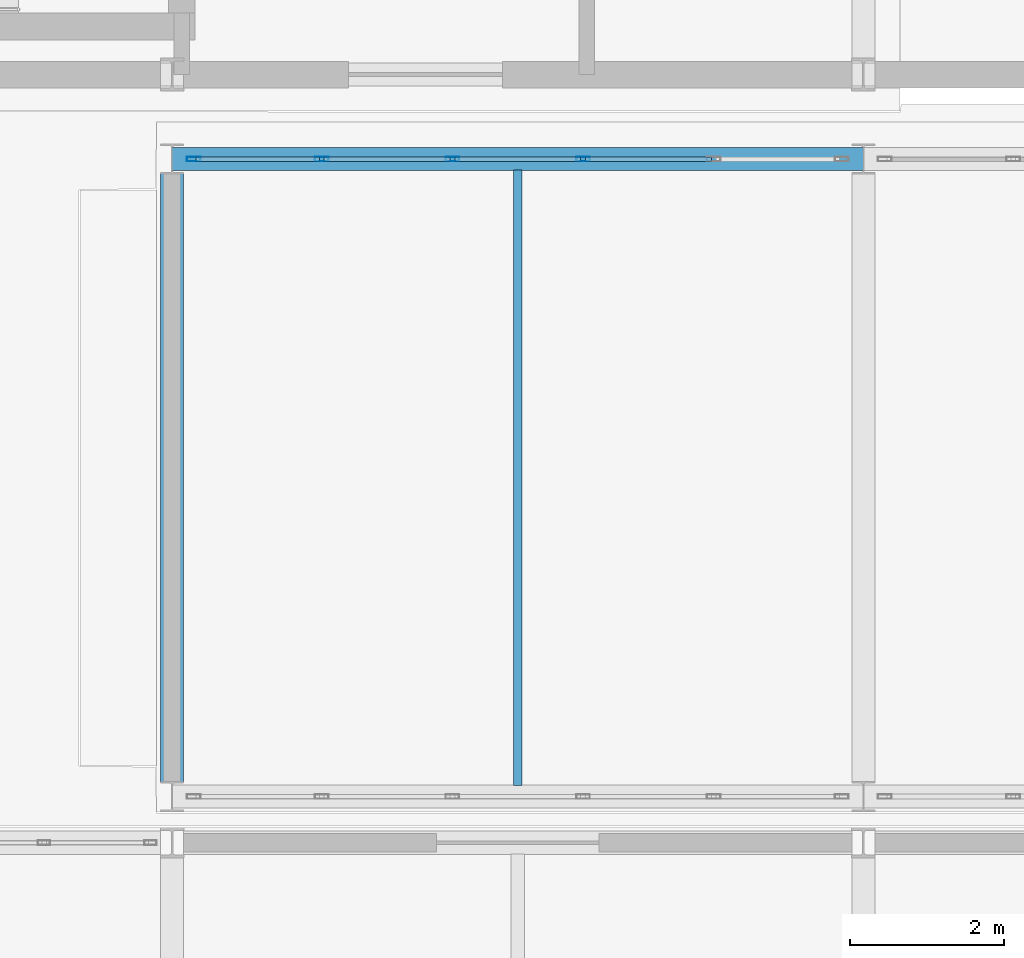
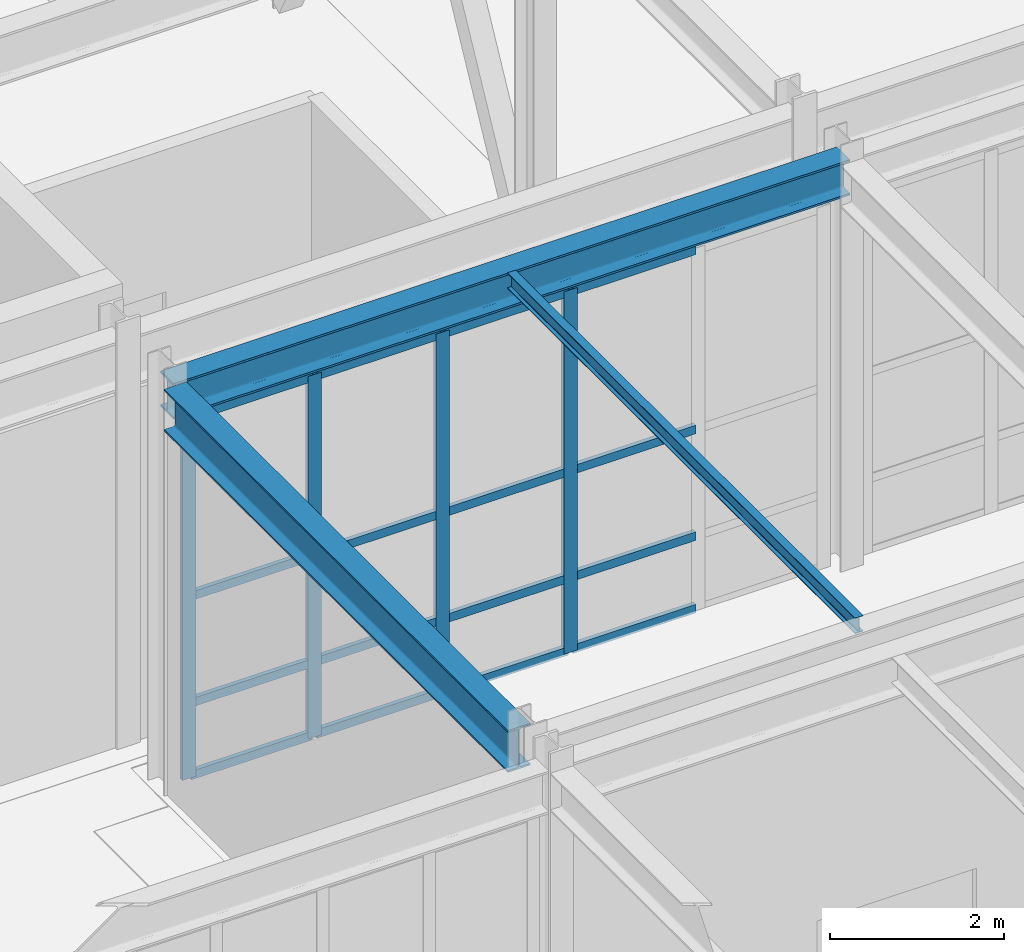
# One storey, part 47 of 146: 20 members, 3 beams, 1 element without a shape of its own.
"""IFC4 building model written with IfcOpenShell, lengths in metres."""

from ifc_helpers import new_model, si_unit, direction, frame, origin, origin_2d, place, context, subcontext, project, spatial, hollow_rectangle, i_section, extrude, material, material_profile, profile_set, type_object, element, aggregate, save


model = new_model("IFC4")

# Units and contexts
model_context = context("Model", 3, precision=1e-05, world=origin(), true_north=direction((0.0, 1.0)))
body_context = subcontext(model_context, "Body", "Model", "MODEL_VIEW")
ifc_project = project(units=[si_unit("LENGTHUNIT", "METRE"), si_unit("AREAUNIT", "SQUARE_METRE"), si_unit("VOLUMEUNIT", "CUBIC_METRE"), si_unit("PLANEANGLEUNIT", "RADIAN"), si_unit("MASSUNIT", "GRAM", prefix="KILO")], contexts=[model_context])

# Site, building, storey
site_placement = place(None, origin())
site = spatial("IfcSite", under=ifc_project, at=site_placement, CompositionType="ELEMENT")
building_placement = place(site_placement, origin())
building = spatial("IfcBuilding", under=site, at=building_placement, Name="Kaldris Quays Convention Centre", CompositionType="ELEMENT")
storey_placement = place(building_placement, origin())
storey = spatial("IfcBuildingStorey", under=building, at=storey_placement, Name="L00", CompositionType="ELEMENT", Elevation=0.0)

# Curtain wall, members
ifc_material_1 = material(Name="Anodized aluminium AW-6060 and triple glazing", Category="aluminium")
curtain_wall_type = type_object("IfcCurtainWallType", Name="UNITISED CURTAIN WALL CW02", PredefinedType="NOTDEFINED", material=ifc_material_1)
curtain_wall_placement = place(storey_placement, origin())
curtain_wall = element("IfcCurtainWall", 1, at=curtain_wall_placement, inside=storey, type_object=curtain_wall_type, Name="L00 Unitised Curtain Wall CW02 79", PredefinedType="NOTDEFINED")
ifc_material_2 = material(Name="Anodized aluminium AW-6060", Category="aluminium")
ifc_material_profile_1 = material_profile(ifc_material_2, hollow_rectangle(XDim=0.06005859375, YDim=0.179931640625, WallThickness=0.0048828125, at=origin_2d()), Name="RHS 180x60x5")
ifc_profile_set_1 = profile_set([ifc_material_profile_1], Name="Anodized aluminium AW-6060")
member_type_1 = type_object("IfcMemberType", Name="CURTAIN MULLION CWM2", PredefinedType="MULLION", material=ifc_profile_set_1)
member_1_placement = place(storey_placement, frame((29.280029296875, 54.89990234375, 0.0), z_axis=(0.0, 0.0, 1.0), x_axis=(0.0, 1.0, 0.0)))
member_1 = element("IfcMember", 2, at=member_1_placement, type_object=member_type_1, Name="CW02 mullion 1", PredefinedType="MULLION", context=body_context, shape_type="SweptSolid", body=[
    extrude(hollow_rectangle(XDim=0.06005859375, YDim=0.179931640625, WallThickness=0.0048828125, at=origin_2d()), origin(), (0.0, 0.0, 1.0), 5.10009765625),
])
member_2_placement = place(storey_placement, frame((30.949951171875, 54.89990234375, 0.0), z_axis=(0.0, 0.0, 1.0), x_axis=(0.0, 1.0, 0.0)))
member_2 = element("IfcMember", 3, at=member_2_placement, type_object=member_type_1, Name="CW02 mullion 2", PredefinedType="MULLION", context=body_context, shape_type="SweptSolid", body=[
    extrude(hollow_rectangle(XDim=0.06005859375, YDim=0.179931640625, WallThickness=0.0048828125, at=origin_2d()), origin(), (0.0, 0.0, 1.0), 5.10009765625),
])
member_3_placement = place(storey_placement, frame((32.64990234375, 54.89990234375, 0.0), z_axis=(0.0, 0.0, 1.0), x_axis=(0.0, 1.0, 0.0)))
member_3 = element("IfcMember", 4, at=member_3_placement, type_object=member_type_1, Name="CW02 mullion 3", PredefinedType="MULLION", context=body_context, shape_type="SweptSolid", body=[
    extrude(hollow_rectangle(XDim=0.06005859375, YDim=0.179931640625, WallThickness=0.0048828125, at=origin_2d()), origin(), (0.0, 0.0, 1.0), 5.10009765625),
])
member_4_placement = place(storey_placement, frame((34.35009765625, 54.89990234375, 0.0), z_axis=(0.0, 0.0, 1.0), x_axis=(0.0, 1.0, 0.0)))
member_4 = element("IfcMember", 5, at=member_4_placement, type_object=member_type_1, Name="CW02 mullion 4", PredefinedType="MULLION", context=body_context, shape_type="SweptSolid", body=[
    extrude(hollow_rectangle(XDim=0.06005859375, YDim=0.179931640625, WallThickness=0.0048828125, at=origin_2d()), origin(), (0.0, 0.0, 1.0), 5.10009765625),
])
ifc_material_profile_2 = material_profile(ifc_material_2, hollow_rectangle(XDim=0.06005859375, YDim=0.1201171875, WallThickness=0.00390625, at=origin_2d()), Name="RHS 120x60x4")
ifc_profile_set_2 = profile_set([ifc_material_profile_2], Name="Anodized aluminium AW-6060")
member_type_2 = type_object("IfcMemberType", Name="CURTAIN TRANSOM CWT1", PredefinedType="USERDEFINED", material=ifc_profile_set_2)
member_5_placement = place(storey_placement, frame((29.31005859375, 54.89990234375, 0.030029296875), z_axis=(1.0, 0.0, 0.0), x_axis=(0.0, 1.0, 0.0)))
member_5 = element("IfcMember", 6, at=member_5_placement, type_object=member_type_2, Name="CW02 transom 1.1", ObjectType="TRANSOM", PredefinedType="USERDEFINED", context=body_context, shape_type="SweptSolid", body=[
    extrude(hollow_rectangle(XDim=0.06005859375, YDim=0.1201171875, WallThickness=0.00390625, at=origin_2d()), origin(), (0.0, 0.0, 1.0), 1.60986328125),
])
member_6_placement = place(storey_placement, frame((29.31005859375, 54.89990234375, 1.050048828125), z_axis=(1.0, 0.0, 0.0), x_axis=(0.0, 1.0, 0.0)))
member_6 = element("IfcMember", 7, at=member_6_placement, type_object=member_type_2, Name="CW02 transom 1.2", ObjectType="TRANSOM", PredefinedType="USERDEFINED", context=body_context, shape_type="SweptSolid", body=[
    extrude(hollow_rectangle(XDim=0.06005859375, YDim=0.1201171875, WallThickness=0.00390625, at=origin_2d()), origin(), (0.0, 0.0, 1.0), 1.60986328125),
])
member_7_placement = place(storey_placement, frame((29.31005859375, 54.89990234375, 2.550048828125), z_axis=(1.0, 0.0, 0.0), x_axis=(0.0, 1.0, 0.0)))
member_7 = element("IfcMember", 8, at=member_7_placement, type_object=member_type_2, Name="CW02 transom 1.3", ObjectType="TRANSOM", PredefinedType="USERDEFINED", context=body_context, shape_type="SweptSolid", body=[
    extrude(hollow_rectangle(XDim=0.06005859375, YDim=0.1201171875, WallThickness=0.00390625, at=origin_2d()), origin(), (0.0, 0.0, 1.0), 1.60986328125),
])
member_8_placement = place(storey_placement, frame((29.31005859375, 54.89990234375, 5.070068359375), z_axis=(1.0, 0.0, 0.0), x_axis=(0.0, 1.0, 0.0)))
member_8 = element("IfcMember", 9, at=member_8_placement, type_object=member_type_2, Name="CW02 transom 1.4", ObjectType="TRANSOM", PredefinedType="USERDEFINED", context=body_context, shape_type="SweptSolid", body=[
    extrude(hollow_rectangle(XDim=0.06005859375, YDim=0.1201171875, WallThickness=0.00390625, at=origin_2d()), origin(), (0.0, 0.0, 1.0), 1.60986328125),
])
member_9_placement = place(storey_placement, frame((30.97998046875, 54.89990234375, 0.030029296875), z_axis=(1.0, 0.0, 0.0), x_axis=(0.0, 1.0, 0.0)))
member_9 = element("IfcMember", 10, at=member_9_placement, type_object=member_type_2, Name="CW02 transom 2.1", ObjectType="TRANSOM", PredefinedType="USERDEFINED", context=body_context, shape_type="SweptSolid", body=[
    extrude(hollow_rectangle(XDim=0.06005859375, YDim=0.1201171875, WallThickness=0.00390625, at=origin_2d()), origin(), (0.0, 0.0, 1.0), 1.64013671875),
])
member_10_placement = place(storey_placement, frame((30.97998046875, 54.89990234375, 1.050048828125), z_axis=(1.0, 0.0, 0.0), x_axis=(0.0, 1.0, 0.0)))
member_10 = element("IfcMember", 11, at=member_10_placement, type_object=member_type_2, Name="CW02 transom 2.2", ObjectType="TRANSOM", PredefinedType="USERDEFINED", context=body_context, shape_type="SweptSolid", body=[
    extrude(hollow_rectangle(XDim=0.06005859375, YDim=0.1201171875, WallThickness=0.00390625, at=origin_2d()), origin(), (0.0, 0.0, 1.0), 1.64013671875),
])
member_11_placement = place(storey_placement, frame((30.97998046875, 54.89990234375, 2.550048828125), z_axis=(1.0, 0.0, 0.0), x_axis=(0.0, 1.0, 0.0)))
member_11 = element("IfcMember", 12, at=member_11_placement, type_object=member_type_2, Name="CW02 transom 2.3", ObjectType="TRANSOM", PredefinedType="USERDEFINED", context=body_context, shape_type="SweptSolid", body=[
    extrude(hollow_rectangle(XDim=0.06005859375, YDim=0.1201171875, WallThickness=0.00390625, at=origin_2d()), origin(), (0.0, 0.0, 1.0), 1.64013671875),
])
member_12_placement = place(storey_placement, frame((30.97998046875, 54.89990234375, 5.070068359375), z_axis=(1.0, 0.0, 0.0), x_axis=(0.0, 1.0, 0.0)))
member_12 = element("IfcMember", 13, at=member_12_placement, type_object=member_type_2, Name="CW02 transom 2.4", ObjectType="TRANSOM", PredefinedType="USERDEFINED", context=body_context, shape_type="SweptSolid", body=[
    extrude(hollow_rectangle(XDim=0.06005859375, YDim=0.1201171875, WallThickness=0.00390625, at=origin_2d()), origin(), (0.0, 0.0, 1.0), 1.64013671875),
])
member_13_placement = place(storey_placement, frame((32.679931640625, 54.89990234375, 0.030029296875), z_axis=(1.0, 0.0, 0.0), x_axis=(0.0, 1.0, 0.0)))
member_13 = element("IfcMember", 14, at=member_13_placement, type_object=member_type_2, Name="CW02 transom 3.1", ObjectType="TRANSOM", PredefinedType="USERDEFINED", context=body_context, shape_type="SweptSolid", body=[
    extrude(hollow_rectangle(XDim=0.06005859375, YDim=0.1201171875, WallThickness=0.00390625, at=origin_2d()), origin(), (0.0, 0.0, 1.0), 1.64013671875),
])
member_14_placement = place(storey_placement, frame((32.679931640625, 54.89990234375, 1.050048828125), z_axis=(1.0, 0.0, 0.0), x_axis=(0.0, 1.0, 0.0)))
member_14 = element("IfcMember", 15, at=member_14_placement, type_object=member_type_2, Name="CW02 transom 3.2", ObjectType="TRANSOM", PredefinedType="USERDEFINED", context=body_context, shape_type="SweptSolid", body=[
    extrude(hollow_rectangle(XDim=0.06005859375, YDim=0.1201171875, WallThickness=0.00390625, at=origin_2d()), origin(), (0.0, 0.0, 1.0), 1.64013671875),
])
member_15_placement = place(storey_placement, frame((32.679931640625, 54.89990234375, 2.550048828125), z_axis=(1.0, 0.0, 0.0), x_axis=(0.0, 1.0, 0.0)))
member_15 = element("IfcMember", 16, at=member_15_placement, type_object=member_type_2, Name="CW02 transom 3.3", ObjectType="TRANSOM", PredefinedType="USERDEFINED", context=body_context, shape_type="SweptSolid", body=[
    extrude(hollow_rectangle(XDim=0.06005859375, YDim=0.1201171875, WallThickness=0.00390625, at=origin_2d()), origin(), (0.0, 0.0, 1.0), 1.64013671875),
])
member_16_placement = place(storey_placement, frame((32.679931640625, 54.89990234375, 5.070068359375), z_axis=(1.0, 0.0, 0.0), x_axis=(0.0, 1.0, 0.0)))
member_16 = element("IfcMember", 17, at=member_16_placement, type_object=member_type_2, Name="CW02 transom 3.4", ObjectType="TRANSOM", PredefinedType="USERDEFINED", context=body_context, shape_type="SweptSolid", body=[
    extrude(hollow_rectangle(XDim=0.06005859375, YDim=0.1201171875, WallThickness=0.00390625, at=origin_2d()), origin(), (0.0, 0.0, 1.0), 1.64013671875),
])
member_17_placement = place(storey_placement, frame((34.3798828125, 54.89990234375, 0.030029296875), z_axis=(1.0, 0.0, 0.0), x_axis=(0.0, 1.0, 0.0)))
member_17 = element("IfcMember", 18, at=member_17_placement, type_object=member_type_2, Name="CW02 transom 4.1", ObjectType="TRANSOM", PredefinedType="USERDEFINED", context=body_context, shape_type="SweptSolid", body=[
    extrude(hollow_rectangle(XDim=0.06005859375, YDim=0.1201171875, WallThickness=0.00390625, at=origin_2d()), origin(), (0.0, 0.0, 1.0), 1.64013671875),
])
member_18_placement = place(storey_placement, frame((34.3798828125, 54.89990234375, 1.050048828125), z_axis=(1.0, 0.0, 0.0), x_axis=(0.0, 1.0, 0.0)))
member_18 = element("IfcMember", 19, at=member_18_placement, type_object=member_type_2, Name="CW02 transom 4.2", ObjectType="TRANSOM", PredefinedType="USERDEFINED", context=body_context, shape_type="SweptSolid", body=[
    extrude(hollow_rectangle(XDim=0.06005859375, YDim=0.1201171875, WallThickness=0.00390625, at=origin_2d()), origin(), (0.0, 0.0, 1.0), 1.64013671875),
])
member_19_placement = place(storey_placement, frame((34.3798828125, 54.89990234375, 2.550048828125), z_axis=(1.0, 0.0, 0.0), x_axis=(0.0, 1.0, 0.0)))
member_19 = element("IfcMember", 20, at=member_19_placement, type_object=member_type_2, Name="CW02 transom 4.3", ObjectType="TRANSOM", PredefinedType="USERDEFINED", context=body_context, shape_type="SweptSolid", body=[
    extrude(hollow_rectangle(XDim=0.06005859375, YDim=0.1201171875, WallThickness=0.00390625, at=origin_2d()), origin(), (0.0, 0.0, 1.0), 1.64013671875),
])
member_20_placement = place(storey_placement, frame((34.3798828125, 54.89990234375, 5.070068359375), z_axis=(1.0, 0.0, 0.0), x_axis=(0.0, 1.0, 0.0)))
member_20 = element("IfcMember", 21, at=member_20_placement, type_object=member_type_2, Name="CW02 transom 4.4", ObjectType="TRANSOM", PredefinedType="USERDEFINED", context=body_context, shape_type="SweptSolid", body=[
    extrude(hollow_rectangle(XDim=0.06005859375, YDim=0.1201171875, WallThickness=0.00390625, at=origin_2d()), origin(), (0.0, 0.0, 1.0), 1.64013671875),
])
aggregate(curtain_wall, [member_1, member_2, member_3, member_4, member_5, member_6, member_7, member_8, member_9, member_10, member_11, member_12, member_13, member_14, member_15, member_16, member_17, member_18, member_19, member_20])

# Beams
ifc_material_3 = material(Name="Steel S355J2", Category="steel")
ifc_material_profile_3 = material_profile(ifc_material_3, i_section(OverallWidth=0.300048828125, OverallDepth=0.5, WebThickness=0.014404296875, FlangeThickness=0.028076171875, FilletRadius=0.027099609375, at=origin_2d()), Name="HEB 500")
ifc_profile_set_3 = profile_set([ifc_material_profile_3], Name="Steel S355J2")
beam_type_1 = type_object("IfcBeamType", Name="STRUCTURAL BEAM BM06", PredefinedType="BEAM", material=ifc_profile_set_3)
beam_1_placement = place(storey_placement, frame((28.99951171875, 54.89990234375, 5.472900390625), z_axis=(1.0, 0.0, 0.0), x_axis=(0.0, 1.0, 0.0)))
element("IfcBeam", 22, at=beam_1_placement, inside=storey, type_object=beam_type_1, Name="L00 Girder BM06 7", PredefinedType="BEAM", context=body_context, shape_type="SweptSolid", body=[
    extrude(i_section(OverallWidth=0.300048828125, OverallDepth=0.5, WebThickness=0.014404296875, FlangeThickness=0.028076171875, FilletRadius=0.027099609375, at=origin_2d()), origin(), (0.0, 0.0, 1.0), 9.0009765625),
])
ifc_material_profile_4 = material_profile(ifc_material_3, i_section(OverallWidth=0.300048828125, OverallDepth=0.590087890625, WebThickness=0.012939453125, FlangeThickness=0.02490234375, FilletRadius=0.027099609375, at=origin_2d()), Name="HEA 600")
ifc_profile_set_4 = profile_set([ifc_material_profile_4], Name="Steel S355J2")
beam_type_2 = type_object("IfcBeamType", Name="STRUCTURAL BEAM BM08", PredefinedType="BEAM", material=ifc_profile_set_4)
beam_2_placement = place(storey_placement, frame((29.0, 46.7890625, 5.427978515625), z_axis=(0.0, 1.0, 0.0), x_axis=(-1.0, 0.0, 0.0)))
element("IfcBeam", 23, at=beam_2_placement, inside=storey, type_object=beam_type_2, Name="L00 Girder BM08 13", PredefinedType="BEAM", context=body_context, shape_type="SweptSolid", body=[
    extrude(i_section(OverallWidth=0.300048828125, OverallDepth=0.590087890625, WebThickness=0.012939453125, FlangeThickness=0.02490234375, FilletRadius=0.027099609375, at=origin_2d()), origin(), (0.0, 0.0, 1.0), 7.921875),
])
ifc_material_profile_5 = material_profile(ifc_material_3, i_section(OverallWidth=0.110107421875, OverallDepth=0.219970703125, WebThickness=0.005859375, FlangeThickness=0.00927734375, FilletRadius=0.011962890625, at=origin_2d()), Name="IPE 220")
ifc_profile_set_5 = profile_set([ifc_material_profile_5], Name="Steel S355J2")
beam_type_3 = type_object("IfcBeamType", Name="STRUCTURAL BEAM JT08", PredefinedType="JOIST", material=ifc_profile_set_5)
beam_3_placement = place(storey_placement, frame((33.5, 46.743896484375, 5.613037109375), z_axis=(0.0, 1.0, 0.0), x_axis=(-1.0, 0.0, 0.0)))
element("IfcBeam", 24, at=beam_3_placement, inside=storey, type_object=beam_type_3, Name="L00 Secondary Joist JT08 1", PredefinedType="JOIST", context=body_context, shape_type="SweptSolid", body=[
    extrude(i_section(OverallWidth=0.110107421875, OverallDepth=0.219970703125, WebThickness=0.005859375, FlangeThickness=0.00927734375, FilletRadius=0.011962890625, at=origin_2d()), origin(), (0.0, 0.0, 1.0), 8.01220703125),
])

save(model, "model.ifc")
